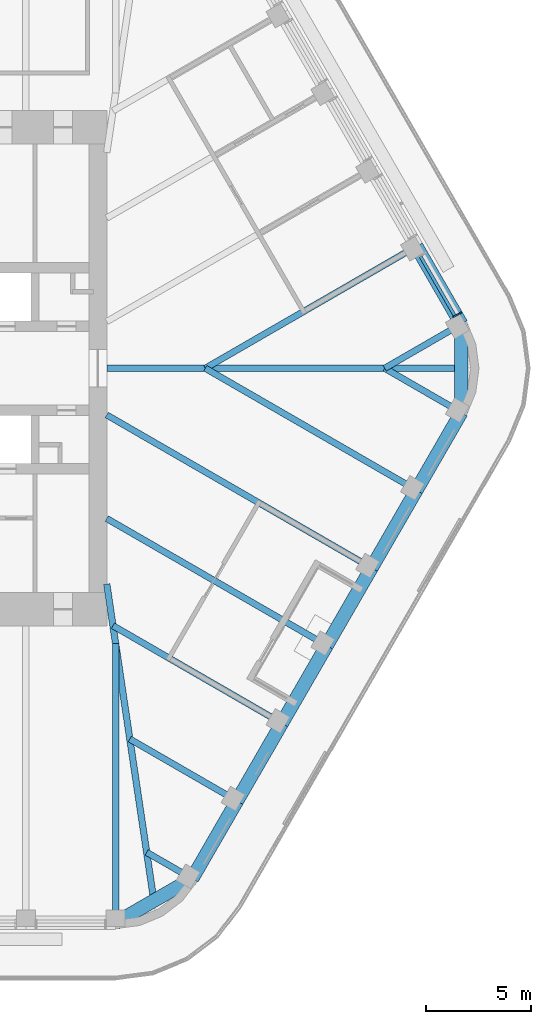
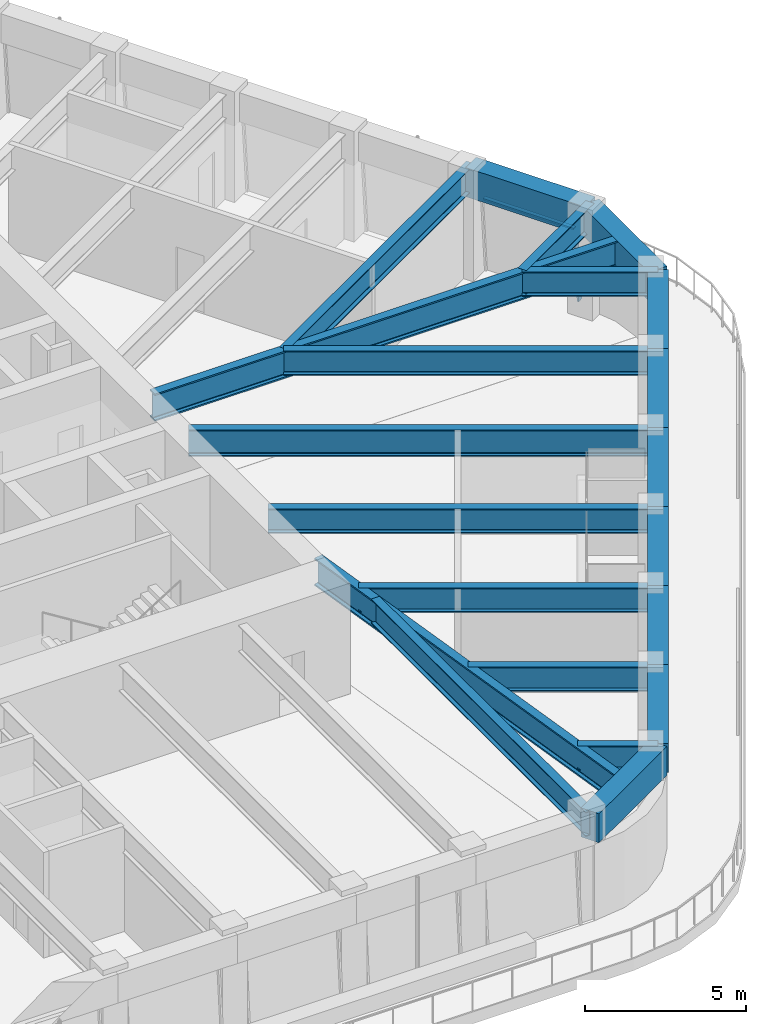
# One storey, part 5 of 19: 21 beams, 2 members, 1 element without a shape of its own.
"""IFC4 building model written with IfcOpenShell, lengths in metres."""

from ifc_helpers import new_model, si_unit, direction, frame, origin, origin_2d, place, context, subcontext, project, spatial, rectangle, i_section, extrude, material, material_profile, profile_set, type_object, element, aggregate, save


model = new_model("IFC4")

# Units and contexts
model_context = context("Model", 3, precision=1e-05, world=origin(), true_north=direction((0.0, 1.0)))
body_context = subcontext(model_context, "Body", "Model", "MODEL_VIEW")
ifc_project = project(units=[si_unit("LENGTHUNIT", "METRE"), si_unit("AREAUNIT", "SQUARE_METRE"), si_unit("VOLUMEUNIT", "CUBIC_METRE"), si_unit("PLANEANGLEUNIT", "RADIAN"), si_unit("MASSUNIT", "GRAM", prefix="KILO")], contexts=[model_context])

# Site, building, storey
site_placement = place(None, origin())
site = spatial("IfcSite", under=ifc_project, at=site_placement, CompositionType="ELEMENT")
building_placement = place(site_placement, origin())
building = spatial("IfcBuilding", under=site, at=building_placement, Name="Tarfa Lantern Tower", CompositionType="ELEMENT")
storey_placement = place(building_placement, frame((0.0, 0.0, 366.10009765625)))
storey = spatial("IfcBuildingStorey", under=building, at=storey_placement, Name="L83", CompositionType="ELEMENT", Elevation=366.10009765625)

# Curtain wall, members
ifc_material_1 = material(Name="Aluminium framed curtain wall", Category="aluminium")
curtain_wall_type = type_object("IfcCurtainWallType", Name="CW4 CANTED GLAZING EXECUTIVE ZONE 2900", PredefinedType="USERDEFINED", material=ifc_material_1)
curtain_wall_placement = place(storey_placement, origin())
curtain_wall = element("IfcCurtainWall", 1, at=curtain_wall_placement, inside=storey, type_object=curtain_wall_type, Name="CW4 NE L83", ObjectType="CURTAIN WALL", PredefinedType="USERDEFINED")
ifc_material_2 = material(Name="Aluminium mullion", Category="aluminium")
ifc_material_profile_1 = material_profile(ifc_material_2, rectangle(XDim=0.06494140625, YDim=0.199951171875, at=origin_2d()), Name="AL MULLION 65x200")
ifc_profile_set_1 = profile_set([ifc_material_profile_1], Name="Aluminium mullion")
member_type_1 = type_object("IfcMemberType", Name="CWM1 MULLION 65x200", PredefinedType="MULLION", material=ifc_profile_set_1)
member_1_placement = place(storey_placement, frame((29.26123046875, 2.617919921875, 0.0), z_axis=(-0.074316405553, -0.042945823525, 0.996309554359), x_axis=(0.500342721131, -0.865827443207, 0.0)))
member_1 = element("IfcMember", 2, at=member_1_placement, type_object=member_type_1, Name="CW4 mullion 1", PredefinedType="MULLION", context=body_context, shape_type="SweptSolid", body=[
    extrude(rectangle(XDim=0.06494140625, YDim=0.199951171875, at=origin_2d()), origin(), (0.0, 0.0, 1.0), 2.91064453125),
])
ifc_material_3 = material(Name="Aluminium transom", Category="aluminium")
ifc_material_profile_2 = material_profile(ifc_material_3, rectangle(XDim=0.14990234375, YDim=0.06494140625, at=origin_2d()), Name="AL TRANSOM 150x65")
ifc_profile_set_2 = profile_set([ifc_material_profile_2], Name="Aluminium transom")
member_type_2 = type_object("IfcMemberType", Name="CWT1 TRANSOM 150x65", PredefinedType="USERDEFINED", material=ifc_profile_set_2)
member_2_placement = place(storey_placement, frame((29.031005859375, 2.5224609375, 2.867431640625), z_axis=(-0.500014901547, 0.866016800201, 0.0), x_axis=(-0.866016800201, -0.500014901547, 0.0)))
member_2 = element("IfcMember", 3, at=member_2_placement, type_object=member_type_2, Name="CW4 transom 1.2", ObjectType="TRANSOM", PredefinedType="USERDEFINED", context=body_context, shape_type="SweptSolid", body=[
    extrude(rectangle(XDim=0.14990234375, YDim=0.06494140625, at=origin_2d()), origin(), (0.0, 0.0, 1.0), 3.251953125),
])
aggregate(curtain_wall, [member_1, member_2])

# Beams
ifc_material_4 = material(Name="Concrete C80/95", Category="concrete")
ifc_material_profile_3 = material_profile(ifc_material_4, rectangle(XDim=0.64990234375, YDim=1.10009765625, at=origin_2d()), Name="RC 650x1100")
ifc_profile_set_3 = profile_set([ifc_material_profile_3], Name="Concrete C80/95")
beam_type_1 = type_object("IfcBeamType", Name="EB4 RC 650x1100", PredefinedType="SPANDREL", material=ifc_profile_set_3)
beam_1_placement = place(storey_placement, frame((29.3466796875, 2.110107421875, 3.449951171875), z_axis=(-0.499984039138, 0.866034618596, 0.0), x_axis=(-0.866034618596, -0.499984039138, 0.0)))
element("IfcBeam", 4, at=beam_1_placement, inside=storey, type_object=beam_type_1, Name="Edge beam NE0", PredefinedType="SPANDREL", context=body_context, shape_type="SweptSolid", body=[
    extrude(rectangle(XDim=0.64990234375, YDim=1.10009765625, at=origin_2d()), origin(), (0.0, 0.0, 1.0), 4.281982421875),
])
beam_2_placement = place(storey_placement, frame((12.845947265625, -26.469970703125, 3.449951171875), z_axis=(0.866048788483, 0.499959494327, 0.0), x_axis=(-0.499959494327, 0.866048788483, 0.0)))
element("IfcBeam", 5, at=beam_2_placement, inside=storey, type_object=beam_type_1, Name="Edge beam S6", PredefinedType="SPANDREL", context=body_context, shape_type="SweptSolid", body=[
    extrude(rectangle(XDim=0.64990234375, YDim=1.10009765625, at=origin_2d()), origin(), (0.0, 0.0, 1.0), 4.219970703125),
])
for number, where, z_axis, x_axis, name in (
    (6, (16.500732421875, -24.360107421875, 3.449951171875), (0.499959351497, 0.866048870937, 0.0), (-0.866048870937, 0.499959351497, 0.0), "Edge beam SE0"),
    (7, (18.6416015625, -20.651611328125, 3.449951171875), (0.500026801138, 0.866009929587, 0.0), (-0.866009929587, 0.500026801138, 0.0), "Edge beam SE1"),
    (8, (20.78271484375, -16.943359375, 3.449951171875), (0.499984039138, 0.866034618596, 0.0), (-0.866034618596, 0.499984039138, 0.0), "Edge beam SE2"),
):
    element("IfcBeam", number, at=place(storey_placement, frame(where, z_axis=z_axis, x_axis=x_axis)), inside=storey, type_object=beam_type_1, Name=name, PredefinedType="SPANDREL", context=body_context, shape_type="SweptSolid", body=[
        extrude(rectangle(XDim=0.64990234375, YDim=1.10009765625, at=origin_2d()), origin(), (0.0, 0.0, 1.0), 4.281982421875),
    ])
beam_3_placement = place(storey_placement, frame((22.923583984375, -13.235107421875, 3.449951171875), z_axis=(0.500002112793, 0.866024183959, 0.0), x_axis=(-0.866024183959, 0.500002112793, 0.0)))
element("IfcBeam", 9, at=beam_3_placement, inside=storey, type_object=beam_type_1, Name="Edge beam SE3", PredefinedType="SPANDREL", context=body_context, shape_type="SweptSolid", body=[
    extrude(rectangle(XDim=0.64990234375, YDim=1.10009765625, at=origin_2d()), origin(), (0.0, 0.0, 1.0), 4.2822265625),
])
for number, where, z_axis, x_axis, name in (
    (10, (25.064697265625, -9.526611328125, 3.449951171875), (0.500026801138, 0.866009929587, 0.0), (-0.866009929587, 0.500026801138, 0.0), "Edge beam SE4"),
    (11, (27.205810546875, -5.818359375, 3.449951171875), (0.499984039138, 0.866034618596, 0.0), (-0.866034618596, 0.499984039138, 0.0), "Edge beam SE5"),
):
    element("IfcBeam", number, at=place(storey_placement, frame(where, z_axis=z_axis, x_axis=x_axis)), inside=storey, type_object=beam_type_1, Name=name, PredefinedType="SPANDREL", context=body_context, shape_type="SweptSolid", body=[
        extrude(rectangle(XDim=0.64990234375, YDim=1.10009765625, at=origin_2d()), origin(), (0.0, 0.0, 1.0), 4.281982421875),
    ])
beam_4_placement = place(storey_placement, frame((29.3466796875, -2.110107421875, 3.449951171875), z_axis=(0.0, 1.0, 0.0), x_axis=(-1.0, 0.0, 0.0)))
element("IfcBeam", 12, at=beam_4_placement, inside=storey, type_object=beam_type_1, Name="Edge beam SE6", PredefinedType="SPANDREL", context=body_context, shape_type="SweptSolid", body=[
    extrude(rectangle(XDim=0.64990234375, YDim=1.10009765625, at=origin_2d()), origin(), (0.0, 0.0, 1.0), 4.22021484375),
])
ifc_material_5 = material(Name="Steel S460M", Category="steel")
ifc_material_profile_4 = material_profile(ifc_material_5, i_section(OverallWidth=0.302001953125, OverallDepth=1.008056640625, WebThickness=0.02099609375, FlangeThickness=0.0400390625, FilletRadius=0.030029296875, at=origin_2d()), Name="UB1016x305x349")
ifc_profile_set_4 = profile_set([ifc_material_profile_4], Name="Steel S460M")
beam_type_2 = type_object("IfcBeamType", Name="UB1016x305x349", PredefinedType="BEAM", material=ifc_profile_set_4)
beam_5_placement = place(storey_placement, frame((25.064697265625, -9.526611328125, 3.495849609375), z_axis=(-0.866029591389, 0.499992746786, 0.0), x_axis=(-0.499992746786, -0.866029591389, 0.0)))
element("IfcBeam", 13, at=beam_5_placement, inside=storey, type_object=beam_type_2, Name="Floor beam SE4", PredefinedType="BEAM", context=body_context, shape_type="SweptSolid", body=[
    extrude(i_section(OverallWidth=0.302001953125, OverallDepth=1.008056640625, WebThickness=0.02099609375, FlangeThickness=0.0400390625, FilletRadius=0.030029296875, at=origin_2d()), origin(), (0.0, 0.0, 1.0), 14.594970703125),
])
ifc_material_profile_5 = material_profile(ifc_material_5, i_section(OverallWidth=0.30859375, OverallDepth=1.036376953125, WebThickness=0.030029296875, FlangeThickness=0.05419921875, FilletRadius=0.030029296875, at=origin_2d()), Name="UB1016x305x487")
ifc_profile_set_5 = profile_set([ifc_material_profile_5], Name="Steel S460M")
beam_type_3 = type_object("IfcBeamType", Name="UB1016x305x487", PredefinedType="BEAM", material=ifc_profile_set_5)
beam_6_placement = place(storey_placement, frame((12.425048828125, 0.0, 3.481689453125), z_axis=(1.0, 0.0, 0.0), x_axis=(0.0, 1.0, 0.0)))
element("IfcBeam", 14, at=beam_6_placement, inside=storey, type_object=beam_type_3, Name="Hip girder E", PredefinedType="BEAM", context=body_context, shape_type="SweptSolid", body=[
    extrude(i_section(OverallWidth=0.30859375, OverallDepth=1.036376953125, WebThickness=0.030029296875, FlangeThickness=0.05419921875, FilletRadius=0.030029296875, at=origin_2d()), origin(), (0.0, 0.0, 1.0), 16.921630859375),
])
beam_7_placement = place(storey_placement, frame((12.425048828125, -10.300048828125, 3.481689453125), z_axis=(0.147127069073, -0.989117599452, 0.0), x_axis=(0.989117599452, 0.147127069073, 0.0)))
element("IfcBeam", 15, at=beam_7_placement, inside=storey, type_object=beam_type_3, Name="Hip girder SE", PredefinedType="BEAM", context=body_context, shape_type="SweptSolid", body=[
    extrude(i_section(OverallWidth=0.30859375, OverallDepth=1.036376953125, WebThickness=0.030029296875, FlangeThickness=0.05419921875, FilletRadius=0.030029296875, at=origin_2d()), origin(), (0.0, 0.0, 1.0), 15.28125),
])
ifc_material_profile_6 = material_profile(ifc_material_5, i_section(OverallWidth=0.305419921875, OverallDepth=0.91845703125, WebThickness=0.017333984375, FlangeThickness=0.02783203125, FilletRadius=0.01904296875, at=origin_2d()), Name="UB914x305x253")
ifc_profile_set_6 = profile_set([ifc_material_profile_6], Name="Steel S460M")
beam_type_4 = type_object("IfcBeamType", Name="UB914x305x253", PredefinedType="BEAM", material=ifc_profile_set_6)
beam_8_placement = place(storey_placement, frame((29.3466796875, 2.110107421875, 3.540771484375), z_axis=(-0.866009274789, -0.500027935199, 0.0), x_axis=(0.500027935199, -0.866009274789, 0.0)))
element("IfcBeam", 16, at=beam_8_placement, inside=storey, type_object=beam_type_4, Name="Floor beam NE0", PredefinedType="BEAM", context=body_context, shape_type="SweptSolid", body=[
    extrude(i_section(OverallWidth=0.305419921875, OverallDepth=0.91845703125, WebThickness=0.017333984375, FlangeThickness=0.02783203125, FilletRadius=0.01904296875, at=origin_2d()), origin(), (0.0, 0.0, 1.0), 4.219970703125),
])
beam_9_placement = place(storey_placement, frame((27.205810546875, 5.818359375, 3.540771484375), z_axis=(-0.866024171998, -0.500002133511, 0.0), x_axis=(0.500002133511, -0.866024171998, 0.0)))
element("IfcBeam", 17, at=beam_9_placement, inside=storey, type_object=beam_type_4, Name="Floor beam NE1", PredefinedType="BEAM", context=body_context, shape_type="SweptSolid", body=[
    extrude(i_section(OverallWidth=0.305419921875, OverallDepth=0.91845703125, WebThickness=0.017333984375, FlangeThickness=0.02783203125, FilletRadius=0.01904296875, at=origin_2d()), origin(), (0.0, 0.0, 1.0), 11.63671875),
])
beam_10_placement = place(storey_placement, frame((12.845947265625, -26.469970703125, 3.540771484375), z_axis=(0.0, 1.0, 0.0), x_axis=(-1.0, 0.0, 0.0)))
element("IfcBeam", 18, at=beam_10_placement, inside=storey, type_object=beam_type_4, Name="Floor beam S6", PredefinedType="BEAM", context=body_context, shape_type="SweptSolid", body=[
    extrude(i_section(OverallWidth=0.305419921875, OverallDepth=0.91845703125, WebThickness=0.017333984375, FlangeThickness=0.02783203125, FilletRadius=0.01904296875, at=origin_2d()), origin(), (0.0, 0.0, 1.0), 13.33935546875),
])
beam_11_placement = place(storey_placement, frame((16.500732421875, -24.360107421875, 3.540771484375), z_axis=(-0.865992557167, 0.500056887695, 0.0), x_axis=(-0.500056887695, -0.865992557167, 0.0)))
element("IfcBeam", 19, at=beam_11_placement, inside=storey, type_object=beam_type_4, Name="Floor beam SE0", PredefinedType="BEAM", context=body_context, shape_type="SweptSolid", body=[
    extrude(i_section(OverallWidth=0.305419921875, OverallDepth=0.91845703125, WebThickness=0.017333984375, FlangeThickness=0.02783203125, FilletRadius=0.01904296875, at=origin_2d()), origin(), (0.0, 0.0, 1.0), 2.506591796875),
])
beam_12_placement = place(storey_placement, frame((18.6416015625, -20.651611328125, 3.540771484375), z_axis=(-0.866024549157, 0.500001480256, 0.0), x_axis=(-0.500001480256, -0.866024549157, 0.0)))
element("IfcBeam", 20, at=beam_12_placement, inside=storey, type_object=beam_type_4, Name="Floor beam SE1", PredefinedType="BEAM", context=body_context, shape_type="SweptSolid", body=[
    extrude(i_section(OverallWidth=0.305419921875, OverallDepth=0.91845703125, WebThickness=0.017333984375, FlangeThickness=0.02783203125, FilletRadius=0.01904296875, at=origin_2d()), origin(), (0.0, 0.0, 1.0), 5.90771484375),
])
beam_13_placement = place(storey_placement, frame((20.78271484375, -16.943359375, 3.540771484375), z_axis=(-0.866021806508, 0.500006230613, 0.0), x_axis=(-0.500006230613, -0.866021806508, 0.0)))
element("IfcBeam", 21, at=beam_13_placement, inside=storey, type_object=beam_type_4, Name="Floor beam SE2", PredefinedType="BEAM", context=body_context, shape_type="SweptSolid", body=[
    extrude(i_section(OverallWidth=0.305419921875, OverallDepth=0.91845703125, WebThickness=0.017333984375, FlangeThickness=0.02783203125, FilletRadius=0.01904296875, at=origin_2d()), origin(), (0.0, 0.0, 1.0), 9.30908203125),
])
beam_14_placement = place(storey_placement, frame((22.923583984375, -13.235107421875, 3.540771484375), z_axis=(-0.86601856927, 0.500011837539, 0.0), x_axis=(-0.500011837539, -0.86601856927, 0.0)))
element("IfcBeam", 22, at=beam_14_placement, inside=storey, type_object=beam_type_4, Name="Floor beam SE3", PredefinedType="BEAM", context=body_context, shape_type="SweptSolid", body=[
    extrude(i_section(OverallWidth=0.305419921875, OverallDepth=0.91845703125, WebThickness=0.017333984375, FlangeThickness=0.02783203125, FilletRadius=0.01904296875, at=origin_2d()), origin(), (0.0, 0.0, 1.0), 12.122802734375),
])
beam_15_placement = place(storey_placement, frame((27.205810546875, -5.818359375, 3.540771484375), z_axis=(-0.866024171998, 0.500002133511, 0.0), x_axis=(-0.500002133511, -0.866024171998, 0.0)))
element("IfcBeam", 23, at=beam_15_placement, inside=storey, type_object=beam_type_4, Name="Floor beam SE5", PredefinedType="BEAM", context=body_context, shape_type="SweptSolid", body=[
    extrude(i_section(OverallWidth=0.305419921875, OverallDepth=0.91845703125, WebThickness=0.017333984375, FlangeThickness=0.02783203125, FilletRadius=0.01904296875, at=origin_2d()), origin(), (0.0, 0.0, 1.0), 11.63671875),
])
beam_16_placement = place(storey_placement, frame((29.3466796875, -2.110107421875, 3.540771484375), z_axis=(-0.866009274789, 0.500027935199, 0.0), x_axis=(-0.500027935199, -0.866009274789, 0.0)))
element("IfcBeam", 24, at=beam_16_placement, inside=storey, type_object=beam_type_4, Name="Floor beam SE6", PredefinedType="BEAM", context=body_context, shape_type="SweptSolid", body=[
    extrude(i_section(OverallWidth=0.305419921875, OverallDepth=0.91845703125, WebThickness=0.017333984375, FlangeThickness=0.02783203125, FilletRadius=0.01904296875, at=origin_2d()), origin(), (0.0, 0.0, 1.0), 4.219970703125),
])

save(model, "model.ifc")
